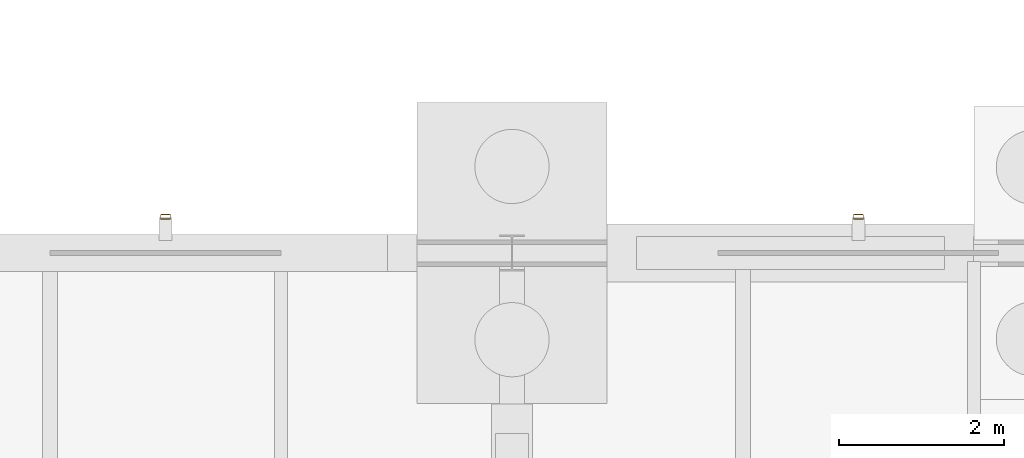
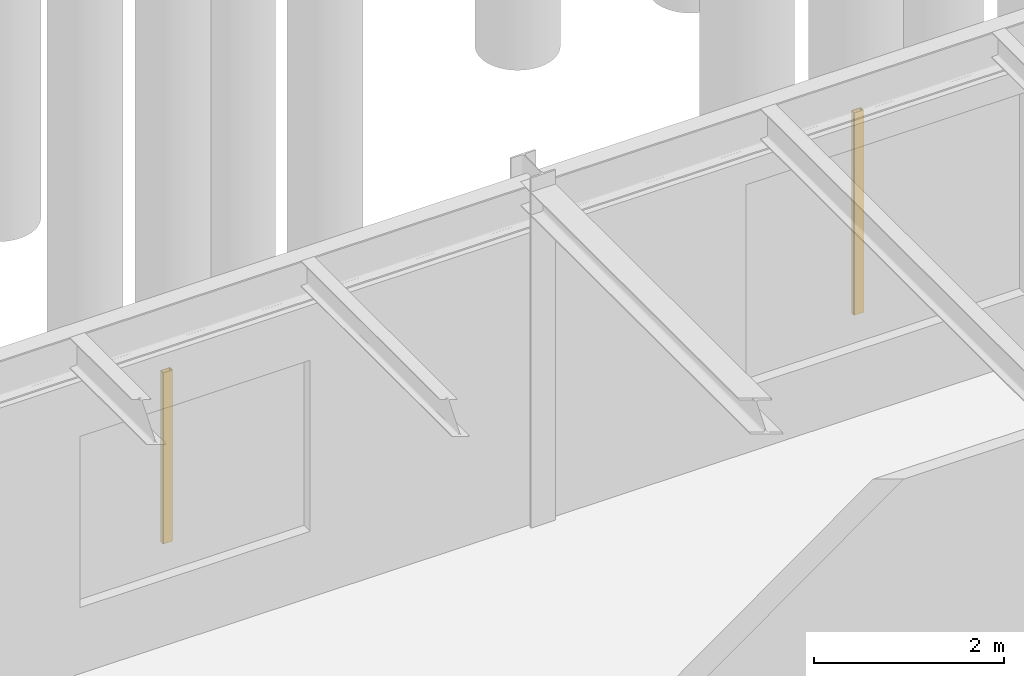
# One storey, part 80 of 93: 2 shading devices.
"""IFC4 building model written with IfcOpenShell, lengths in metres."""

from ifc_helpers import new_model, si_unit, derived_unit, direction, frame, origin, origin_2d, place, context, subcontext, project, spatial, hollow_rectangle, extrude, material, material_profile, profile_set, type_object, element, save


model = new_model("IFC4")

# Units and contexts
model_context = context("Model", 3, precision=1e-05, world=origin(), true_north=direction((0.0, 1.0)))
body_context = subcontext(model_context, "Body", "Model", "MODEL_VIEW")
ifc_project = project(units=[si_unit("LENGTHUNIT", "METRE"), si_unit("AREAUNIT", "SQUARE_METRE"), si_unit("VOLUMEUNIT", "CUBIC_METRE"), si_unit("PLANEANGLEUNIT", "RADIAN"), si_unit("MASSUNIT", "GRAM", prefix="KILO"), derived_unit("THERMALTRANSMITTANCEUNIT", [(si_unit("MASSUNIT", "GRAM", prefix="KILO"), 1), (si_unit("TIMEUNIT", "SECOND"), -3), (si_unit("THERMODYNAMICTEMPERATUREUNIT", "KELVIN"), -1)])], contexts=[model_context])

# Site, building, storey
site_placement = place(None, origin())
site = spatial("IfcSite", under=ifc_project, at=site_placement, CompositionType="ELEMENT")
building_placement = place(site_placement, origin())
building = spatial("IfcBuilding", under=site, at=building_placement, Name="Kharveza Railside Sports Centre", CompositionType="ELEMENT")
storey_placement = place(building_placement, origin())
storey = spatial("IfcBuildingStorey", under=building, at=storey_placement, Name="L00", CompositionType="ELEMENT", Elevation=0.0)

# Shading devices
ifc_material = material(Name="Anodised aluminium 6063-T6", Category="aluminium")
ifc_material_profile = material_profile(ifc_material, hollow_rectangle(XDim=0.06005859375, YDim=0.1201171875, WallThickness=0.0048828125, InnerFilletRadius=0.0048828125, OuterFilletRadius=0.010009765625, at=origin_2d()), Name="RHS 60x120x5.0")
ifc_profile_set = profile_set([ifc_material_profile], Name="Anodised aluminium 6063-T6")
shading_device_type = type_object("IfcShadingDeviceType", Name="SD-LV01", PredefinedType="JALOUSIE", material=ifc_profile_set)
shading_device_1_placement = place(storey_placement, frame((121.800048828125, 36.43994140625, 0.85009765625), z_axis=(0.0, 0.0, 1.0), x_axis=(0.0, 1.0, 0.0)))
element("IfcShadingDevice", 1, at=shading_device_1_placement, inside=storey, type_object=shading_device_type, Name="SD-FIN-010", PredefinedType="JALOUSIE", context=body_context, shape_type="SweptSolid", body=[
    extrude(hollow_rectangle(XDim=0.06005859375, YDim=0.1201171875, WallThickness=0.0048828125, InnerFilletRadius=0.0048828125, OuterFilletRadius=0.010009765625, at=origin_2d()), origin(), (0.0, 0.0, 1.0), 2.599853515625),
])
shading_device_2_placement = place(storey_placement, frame((113.39990234375, 36.43994140625, 0.85009765625), z_axis=(0.0, 0.0, 1.0), x_axis=(0.0, 1.0, 0.0)))
element("IfcShadingDevice", 2, at=shading_device_2_placement, inside=storey, type_object=shading_device_type, Name="SD-FIN-011", PredefinedType="JALOUSIE", context=body_context, shape_type="SweptSolid", body=[
    extrude(hollow_rectangle(XDim=0.06005859375, YDim=0.1201171875, WallThickness=0.0048828125, InnerFilletRadius=0.0048828125, OuterFilletRadius=0.010009765625, at=origin_2d()), origin(), (0.0, 0.0, 1.0), 2.199951171875),
])

save(model, "model.ifc")
